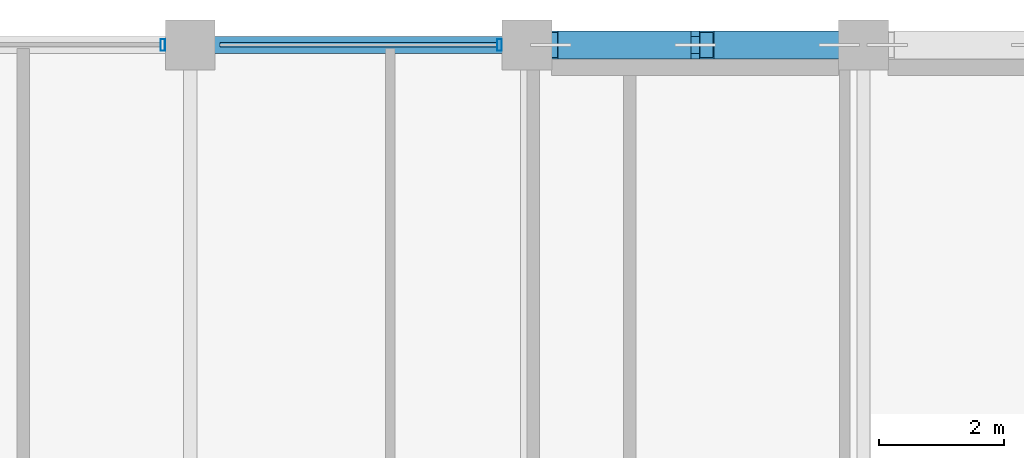
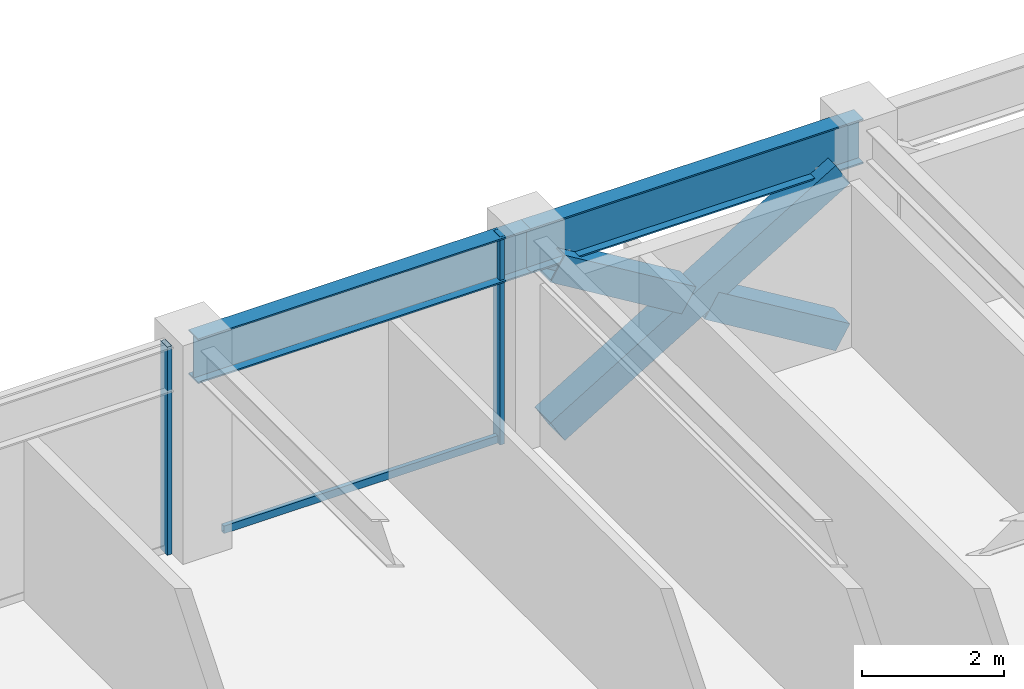
# One storey, part 17 of 28: 6 members, 2 beams, 1 element without a shape of its own.
"""IFC4 building model written with IfcOpenShell, lengths in metres."""

import ifcopenshell
import ifcopenshell.guid

model = None  # the IFC model being written
_history = None  # IfcOwnerHistory: only IFC2X3 demands one
_inside = {}  # id of a spatial element -> (the spatial element, [elements in it])
_under = {}  # id of a project, library or spatial element -> (it, [spatial elements below it])
_declared = {}  # id of a project -> (the project, [libraries it declares])
_typed = {}  # id of a type object -> (the type object, [elements of that type])
_made_of = {}  # id of a material, layer set ... -> (it, [elements and type objects made of it])


def new_model(schema):
    """Start an empty IFC model of exactly this schema.

    Asked for "IFC4X3", IfcOpenShell would pick the latest addendum, in which some entities
    have other attributes; the version numbers below select the first issue.
    IFC2X3 requires an IfcOwnerHistory on every rooted entity: one is made here for all.
    """
    global model, _history
    if schema == "IFC4X3":
        model = ifcopenshell.file(schema_version=(4, 3, 0, 0))
    else:
        model = ifcopenshell.file(schema=schema)
    _inside.clear()
    _under.clear()
    _declared.clear()
    _typed.clear()
    _made_of.clear()
    _history = None
    if model.schema == "IFC2X3":
        org = make("IfcOrganization", Name="unknown")
        user = make(
            "IfcPersonAndOrganization",
            ThePerson=make("IfcPerson", FamilyName="unknown"),
            TheOrganization=org,
        )
        app = make(
            "IfcApplication",
            ApplicationDeveloper=org,
            Version="unknown",
            ApplicationFullName="unknown",
            ApplicationIdentifier="unknown",
        )
        _history = make(
            "IfcOwnerHistory",
            OwningUser=user,
            OwningApplication=app,
            ChangeAction="ADDED",
            CreationDate=0,
        )
    return model


def make(cls, **values):
    """One entity of the class cls with the attributes given. An attribute that is None is left unset."""
    return model.create_entity(
        cls, **{name: value for name, value in values.items() if value is not None}
    )


def rooted(cls, **values):
    """An entity with a GlobalId (a new one), such as an element, a storey or a relation."""
    return make(cls, GlobalId=ifcopenshell.guid.new(), OwnerHistory=_history, **values)


def si_unit(unit_type, name, prefix=None):
    """IfcSIUnit, for example si_unit("LENGTHUNIT", "METRE", prefix="MILLI")."""
    return make("IfcSIUnit", UnitType=unit_type, Prefix=prefix, Name=name)


def assignment(units):
    """IfcUnitAssignment: the units of a project."""
    return None if units is None else make("IfcUnitAssignment", Units=units)


def point(xyz):
    """IfcCartesianPoint."""
    return None if xyz is None else make("IfcCartesianPoint", Coordinates=xyz)


def direction(xyz):
    """IfcDirection."""
    return None if xyz is None else make("IfcDirection", DirectionRatios=xyz)


def frame(location, z_axis=None, x_axis=None):
    """IfcAxis2Placement3D, a coordinate frame: its origin and axes. An axis left out is left unset."""
    return make(
        "IfcAxis2Placement3D",
        Location=point(location),
        Axis=direction(z_axis),
        RefDirection=direction(x_axis),
    )


def frame_2d(location, x_axis=None):
    """IfcAxis2Placement2D, a coordinate frame in the plane: its origin and x axis."""
    return make(
        "IfcAxis2Placement2D", Location=point(location), RefDirection=direction(x_axis)
    )


def origin():
    """The frame at (0, 0, 0) with its axes left unset."""
    return frame((0.0, 0.0, 0.0))


def origin_2d():
    """The frame at (0, 0) in the plane with its x axis left unset."""
    return frame_2d((0.0, 0.0))


def place(relative_to, where):
    """IfcLocalPlacement: puts the frame where relative to a parent placement (None: the world)."""
    return make(
        "IfcLocalPlacement", PlacementRelTo=relative_to, RelativePlacement=where
    )


def context(
    kind, dimensions, precision=None, world=None, true_north=None, identifier=None
):
    """IfcGeometricRepresentationContext, for example the 3D "Model" context."""
    return make(
        "IfcGeometricRepresentationContext",
        ContextIdentifier=identifier,
        ContextType=kind,
        CoordinateSpaceDimension=dimensions,
        Precision=precision,
        WorldCoordinateSystem=world,
        TrueNorth=true_north,
    )


def subcontext(parent, identifier, kind, view, scale=None):
    """IfcGeometricRepresentationSubContext, for example "Body" below "Model"."""
    return make(
        "IfcGeometricRepresentationSubContext",
        ContextIdentifier=identifier,
        ContextType=kind,
        ParentContext=parent,
        TargetScale=scale,
        TargetView=view,
    )


def project(units=None, contexts=None):
    """IfcProject with its units and contexts."""
    return rooted(
        "IfcProject",
        Name="project",
        RepresentationContexts=contexts,
        UnitsInContext=assignment(units),
    )


def spatial(cls, under=None, at=None, **own):
    """A site, building, storey or space (cls), placed at a placement, below another one or the project."""
    s = rooted(cls, ObjectPlacement=at, **own)
    if under is not None:
        _under.setdefault(under.id(), (under, []))[1].append(s)
    return s


def profile(cls, at=None, kind="AREA", **sizes):
    """A parametric profile (cls). Its sizes go by their IFC names, for example OverallWidth=200.0."""
    return make(cls, ProfileType=kind, Position=at, **sizes)


def hollow_rectangle(**sizes):
    """IfcRectangleHollowProfileDef."""
    return profile("IfcRectangleHollowProfileDef", **sizes)


def i_section(**sizes):
    """IfcIShapeProfileDef."""
    return profile("IfcIShapeProfileDef", **sizes)


def extrude(swept, where, along, depth):
    """IfcExtrudedAreaSolid: the profile swept, set in the frame where, extruded along a direction by depth."""
    return make(
        "IfcExtrudedAreaSolid",
        SweptArea=swept,
        Position=where,
        ExtrudedDirection=direction(along),
        Depth=depth,
    )


def shape(context_of_items, identifier, shape_type, items):
    """IfcShapeRepresentation: the items that make up one representation, for example the "Body"."""
    return make(
        "IfcShapeRepresentation",
        ContextOfItems=context_of_items,
        RepresentationIdentifier=identifier,
        RepresentationType=shape_type,
        Items=items,
    )


def material(Name=None, Category=None):
    """IfcMaterial."""
    return make("IfcMaterial", Name=Name, Category=Category)


def layer(
    of_material, thickness, ventilated=None, Name=None, Category=None, Priority=None
):
    """IfcMaterialLayer: one layer of a wall or slab, of a material (None: an air gap)."""
    return make(
        "IfcMaterialLayer",
        Material=of_material,
        LayerThickness=thickness,
        IsVentilated=ventilated,
        Name=Name,
        Category=Category,
        Priority=Priority,
    )


def layer_set(layers, Name=None):
    """IfcMaterialLayerSet."""
    return make("IfcMaterialLayerSet", MaterialLayers=layers, LayerSetName=Name)


def material_profile(
    of_material, cross_section, Name=None, Category=None, Priority=None
):
    """IfcMaterialProfile: a cross section and its material."""
    return make(
        "IfcMaterialProfile",
        Name=Name,
        Material=of_material,
        Profile=cross_section,
        Priority=Priority,
        Category=Category,
    )


def profile_set(profiles, Name=None, composite=None):
    """IfcMaterialProfileSet."""
    return make(
        "IfcMaterialProfileSet",
        Name=Name,
        MaterialProfiles=profiles,
        CompositeProfile=composite,
    )


def made_of(thing, what):
    """Note that an element or type object is made of a material, layer set ...; save() writes the relation."""
    if what is not None:
        _made_of.setdefault(what.id(), (what, []))[1].append(thing)
    return thing


def type_object(cls, material=None, **own):
    """A type object (cls), such as IfcWallType, which elements share."""
    return made_of(rooted(cls, **own), material)


def element(
    cls,
    number,
    at=None,
    inside=None,
    cuts=None,
    type_object=None,
    material=None,
    context=None,
    identifier="Body",
    shape_type=None,
    held_by="IfcProductDefinitionShape",
    body=None,
    shapes=None,
    **own,
):
    """One element of the class cls, such as IfcWall. Its Tag is "e" and its number.

    at: its placement. inside: the storey or other place that contains it. cuts: it is an
    opening in that element (IfcRelVoidsElement). A single representation is given by context,
    identifier, shape_type and body (its items); several are given by shapes. held_by: the class
    of the entity that holds the representations. save() writes the other relations.
    """
    e = rooted(cls, Tag="e%d" % number, ObjectPlacement=at, **own)
    if body is not None:
        shapes = [shape(context, identifier, shape_type, body)]
    if shapes is not None:
        e.Representation = make(held_by, Representations=shapes)
    if inside is not None:
        _inside.setdefault(inside.id(), (inside, []))[1].append(e)
    if cuts is not None:
        rooted(
            "IfcRelVoidsElement", RelatingBuildingElement=cuts, RelatedOpeningElement=e
        )
    if type_object is not None:
        _typed.setdefault(type_object.id(), (type_object, []))[1].append(e)
    return made_of(e, material)


def aggregate(whole, parts):
    """IfcRelAggregates: a whole, such as a stair, and the parts it consists of."""
    return rooted("IfcRelAggregates", RelatingObject=whole, RelatedObjects=parts)


def save(model, path):
    """Write the relations noted so far, then the file.

    IfcRelAggregates (storeys below a building ...), IfcRelContainedInSpatialStructure (elements
    in a storey), IfcRelDefinesByType, IfcRelAssociatesMaterial and IfcRelDeclares: one each for
    every whole, place, type object, material and project.
    """
    for whole, parts in _under.values():
        aggregate(whole, parts)
    for where, things in _inside.values():
        rooted(
            "IfcRelContainedInSpatialStructure",
            RelatedElements=things,
            RelatingStructure=where,
        )
    for kind, things in _typed.values():
        rooted("IfcRelDefinesByType", RelatedObjects=things, RelatingType=kind)
    for what, things in _made_of.values():
        rooted("IfcRelAssociatesMaterial", RelatedObjects=things, RelatingMaterial=what)
    for by, libraries in _declared.values():
        rooted("IfcRelDeclares", RelatingContext=by, RelatedDefinitions=libraries)
    model.write(path)


model = new_model("IFC4")

# Units and contexts
model_context = context("Model", 3, precision=1e-05, world=origin(), true_north=direction((0.0, 1.0)))
body_context = subcontext(model_context, "Body", "Model", "MODEL_VIEW")
ifc_project = project(units=[si_unit("LENGTHUNIT", "METRE"), si_unit("AREAUNIT", "SQUARE_METRE"), si_unit("VOLUMEUNIT", "CUBIC_METRE"), si_unit("PLANEANGLEUNIT", "RADIAN"), si_unit("MASSUNIT", "GRAM", prefix="KILO")], contexts=[model_context])

# Site, building, storey
site_placement = place(None, origin())
site = spatial("IfcSite", under=ifc_project, at=site_placement, CompositionType="ELEMENT")
building_placement = place(site_placement, origin())
building = spatial("IfcBuilding", under=site, at=building_placement, Name="Surkhivell Harbour Commons", CompositionType="ELEMENT")
storey_placement = place(building_placement, frame((0.0, 0.0, 242.25)))
storey = spatial("IfcBuildingStorey", under=building, at=storey_placement, Name="L63", CompositionType="ELEMENT", Elevation=242.25)

# Beams
ifc_material_1 = material(Name="Steel S355", Category="steel")
ifc_material_profile_1 = material_profile(ifc_material_1, i_section(OverallWidth=0.26806640625, OverallDepth=0.77001953125, WebThickness=0.015625, FlangeThickness=0.025390625, at=origin_2d()), Name="UB762x267x197")
ifc_profile_set_1 = profile_set([ifc_material_profile_1], Name="Steel S355")
beam_type = type_object("IfcBeamType", Name="BM-SPN-762", PredefinedType="SPANDREL", material=ifc_profile_set_1)
beam_1_placement = place(storey_placement, frame((-10.800048828125, 25.89990234375, 3.18505859375), z_axis=(1.0, 0.0, 0.0), x_axis=(0.0, 1.0, 0.0)))
element("IfcBeam", 1, at=beam_1_placement, inside=storey, type_object=beam_type, Name="L63 Tube Spandrel (-10.8,25.9)", PredefinedType="SPANDREL", context=body_context, shape_type="SweptSolid", body=[
    extrude(i_section(OverallWidth=0.26806640625, OverallDepth=0.77001953125, WebThickness=0.015625, FlangeThickness=0.025390625, at=origin_2d()), origin(), (0.0, 0.0, 1.0), 5.400146484375),
])
beam_2_placement = place(storey_placement, frame((-5.39990234375, 25.89990234375, 3.18505859375), z_axis=(1.0, 0.0, 0.0), x_axis=(0.0, 1.0, 0.0)))
element("IfcBeam", 2, at=beam_2_placement, inside=storey, type_object=beam_type, Name="L63 Tube Spandrel (-5.4,25.9)", PredefinedType="SPANDREL", context=body_context, shape_type="SweptSolid", body=[
    extrude(i_section(OverallWidth=0.26806640625, OverallDepth=0.77001953125, WebThickness=0.015625, FlangeThickness=0.025390625, at=origin_2d()), origin(), (0.0, 0.0, 1.0), 5.39990234375),
])

# Curtain wall, members
ifc_material_2 = material(Name="Anodised pale-metal aluminium and insulated glazing", Category="aluminium")
ifc_layer = layer(ifc_material_2, 0.18994140625)
ifc_layer_set = layer_set([ifc_layer], Name="Anodised pale-metal aluminium and insulated glazing")
curtain_wall_type = type_object("IfcCurtainWallType", Name="CW-SYS-Z3", PredefinedType="NOTDEFINED", material=ifc_layer_set)
curtain_wall_placement = place(storey_placement, origin())
curtain_wall = element("IfcCurtainWall", 3, at=curtain_wall_placement, inside=storey, type_object=curtain_wall_type, Name="L63 Curtain Wall CW-L63-E07S2", PredefinedType="NOTDEFINED")
ifc_material_3 = material(Name="Anodised pale-metal aluminium alloy 6063-T6", Category="aluminium")
ifc_material_profile_2 = material_profile(ifc_material_3, hollow_rectangle(XDim=0.074951171875, YDim=0.18994140625, WallThickness=0.00390625, at=origin_2d()), Name="ALU-MULL-75x190")
ifc_profile_set_2 = profile_set([ifc_material_profile_2], Name="Anodised pale-metal aluminium alloy 6063-T6")
member_type_1 = type_object("IfcMemberType", Name="CWM-190", PredefinedType="MULLION", material=ifc_profile_set_2)
member_1_placement = place(storey_placement, frame((-5.839599609375, 25.89990234375, 0.0), z_axis=(0.0, 0.0, 1.0), x_axis=(-1.0, 0.0, 0.0)))
member_1 = element("IfcMember", 4, at=member_1_placement, type_object=member_type_1, Name="CW-Z3 mullion 1", PredefinedType="MULLION", context=body_context, shape_type="SweptSolid", body=[
    extrude(hollow_rectangle(XDim=0.074951171875, YDim=0.18994140625, WallThickness=0.00390625, at=origin_2d()), origin(), (0.0, 0.0, 1.0), 3.570068359375),
])
member_2_placement = place(storey_placement, frame((-11.239501953125, 25.89990234375, 0.0), z_axis=(0.0, 0.0, 1.0), x_axis=(-1.0, 0.0, 0.0)))
member_2 = element("IfcMember", 5, at=member_2_placement, type_object=member_type_1, Name="CW-Z3 mullion 2", PredefinedType="MULLION", context=body_context, shape_type="SweptSolid", body=[
    extrude(hollow_rectangle(XDim=0.074951171875, YDim=0.18994140625, WallThickness=0.00390625, at=origin_2d()), origin(), (0.0, 0.0, 1.0), 3.570068359375),
])
ifc_material_4 = material(Name="Champagne anodised aluminium alloy 6063-T6", Category="aluminium")
ifc_material_profile_3 = material_profile(ifc_material_4, hollow_rectangle(XDim=0.070068359375, YDim=0.1298828125, WallThickness=0.00341796875, at=origin_2d()), Name="ALU-TRAN-70x130")
ifc_profile_set_3 = profile_set([ifc_material_profile_3], Name="Champagne anodised aluminium alloy 6063-T6")
member_type_2 = type_object("IfcMemberType", Name="CWT-130", PredefinedType="USERDEFINED", material=ifc_profile_set_3)
member_3_placement = place(storey_placement, frame((-5.876953125, 25.89990234375, 0.06494140625), z_axis=(-1.0, 0.0, 0.0), x_axis=(0.0, -1.0, 0.0)))
member_3 = element("IfcMember", 6, at=member_3_placement, type_object=member_type_2, Name="CW-Z3 transom 1.1", ObjectType="TRANSOM", PredefinedType="USERDEFINED", context=body_context, shape_type="SweptSolid", body=[
    extrude(hollow_rectangle(XDim=0.070068359375, YDim=0.1298828125, WallThickness=0.00341796875, at=origin_2d()), origin(), (0.0, 0.0, 1.0), 4.446044921875),
])
aggregate(curtain_wall, [member_1, member_3, member_2])

# Members
ifc_material_5 = material(Name="Steel S460", Category="steel")
ifc_material_profile_4 = material_profile(ifc_material_5, hollow_rectangle(XDim=0.449951171875, YDim=0.449951171875, WallThickness=0.02197265625, at=origin_2d()), Name="SHS450x450x22")
ifc_profile_set_4 = profile_set([ifc_material_profile_4], Name="Steel S460")
member_type_3 = type_object("IfcMemberType", Name="MEM-BRC-SHS450", PredefinedType="BRACE", material=ifc_profile_set_4)
member_4_placement = place(storey_placement, frame((-5.014892578125, 25.89990234375, 0.008056640625), z_axis=(0.856023742961, 0.0, 0.516936506243), x_axis=(0.0, 1.0, 0.0)))
element("IfcMember", 7, at=member_4_placement, inside=storey, type_object=member_type_3, Name="L63 Perimeter Mega-Brace MB- 01", PredefinedType="BRACE", context=body_context, shape_type="SweptSolid", body=[
    extrude(hollow_rectangle(XDim=0.449951171875, YDim=0.449951171875, WallThickness=0.02197265625, at=origin_2d()), origin(), (0.0, 0.0, 1.0), 5.40869140625),
])
for number, where, z_axis, x_axis, name in (
    (8, (-0.385009765625, 25.89990234375, 0.008056640625), (-0.856061168755, 0.0, 0.516874525731), (0.0, -1.0, 0.0), "L63 Perimeter Mega-Brace MB- 02"),
    (9, (-2.885009765625, 25.89990234375, 1.517578125), (-0.855991532151, 0.0, 0.516989842149), (0.0, -1.0, 0.0), "L63 Perimeter Mega-Brace MB- 03"),
):
    element("IfcMember", number, at=place(storey_placement, frame(where, z_axis=z_axis, x_axis=x_axis)), inside=storey, type_object=member_type_3, Name=name, PredefinedType="BRACE", context=body_context, shape_type="SweptSolid", body=[
        extrude(hollow_rectangle(XDim=0.449951171875, YDim=0.449951171875, WallThickness=0.02197265625, at=origin_2d()), origin(), (0.0, 0.0, 1.0), 2.48828125),
    ])

save(model, "model.ifc")
